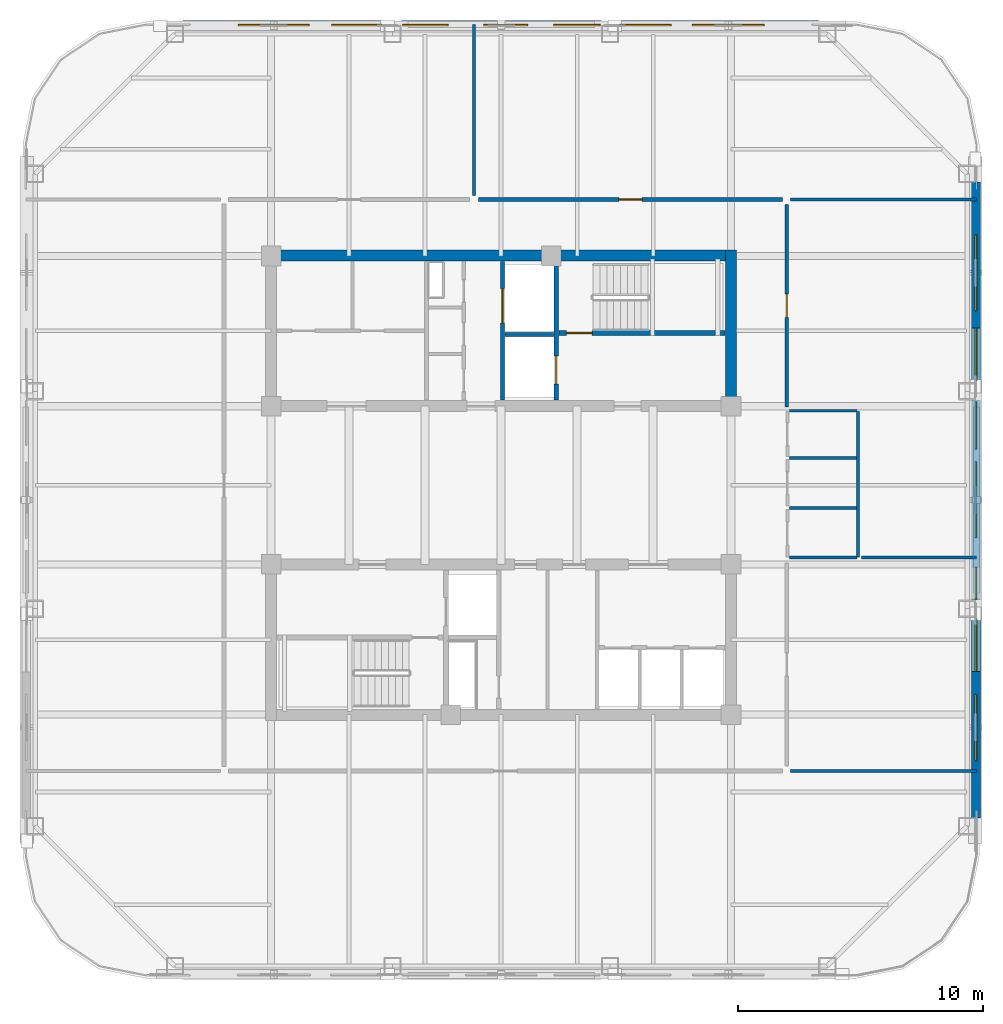
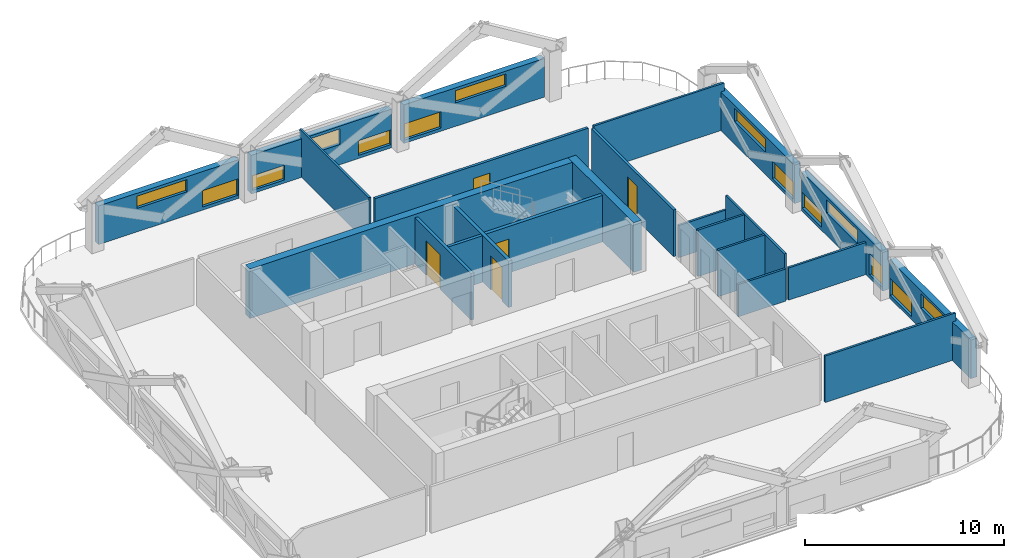
# One storey, part 5 of 9: 23 walls, 14 windows, 5 doors, 19 openings.
"""IFC4 building model written with IfcOpenShell, lengths in metres."""

from ifc_helpers import new_model, si_unit, direction, frame, frame_2d, origin, place, context, subcontext, project, spatial, rectangle, extrude, material, layer, layer_set, type_object, element, fill, save


model = new_model("IFC4")

# Units and contexts
model_context = context("Model", 3, precision=1e-05, world=origin(), true_north=direction((0.0, 1.0)))
body_context = subcontext(model_context, "Body", "Model", "MODEL_VIEW")
ifc_project = project(units=[si_unit("LENGTHUNIT", "METRE"), si_unit("AREAUNIT", "SQUARE_METRE"), si_unit("VOLUMEUNIT", "CUBIC_METRE"), si_unit("PLANEANGLEUNIT", "RADIAN"), si_unit("MASSUNIT", "GRAM", prefix="KILO")], contexts=[model_context])

# Site, building, storey
site_placement = place(None, origin())
site = spatial("IfcSite", under=ifc_project, at=site_placement, CompositionType="ELEMENT")
building_placement = place(site_placement, origin())
building = spatial("IfcBuilding", under=site, at=building_placement, Name="Qhalaya Broadcast Tower", CompositionType="ELEMENT")
storey_placement = place(building_placement, frame((0.0, 0.0, 205.60009765625)))
storey = spatial("IfcBuildingStorey", under=building, at=storey_placement, Name="L60", CompositionType="ELEMENT", Elevation=205.60009765625)

# Wall, opening, door
ifc_material_1 = material(Name="Gypsum Acoustic Partition")
ifc_layer_1 = layer(ifc_material_1, 0.14990234375, Name="Gypsum Acoustic Partition")
ifc_layer_set_1 = layer_set([ifc_layer_1], Name="Gypsum Acoustic Partition")
wall_type_1 = type_object("IfcWallType", Name="Corridor & Tenancy Acoustic Partition 150", PredefinedType="PARTITIONING", material=ifc_layer_set_1)
wall_1_placement = place(storey_placement, frame((-0.919921875, 12.25, 0.0), z_axis=(0.0, 0.0, 1.0), x_axis=(1.0, 0.0, 0.0)))
wall_1 = element("IfcWall", 1, at=wall_1_placement, inside=storey, type_object=wall_type_1, Name="L60 Partition Wall W-COR-02", PredefinedType="PARTITIONING", context=body_context, shape_type="SweptSolid", body=[
    extrude(rectangle(XDim=12.389892578125, YDim=0.14990234375, at=frame_2d((6.19482421875, 0.0))), origin(), (0.0, 0.0, 1.0), 2.85986328125),
])
opening_1_placement = place(wall_1_placement, frame((5.719970703125, 0.0, 0.0)))
opening_1 = element("IfcOpeningElement", 2, at=opening_1_placement, cuts=wall_1, Name="Opening D10", PredefinedType="OPENING", context=body_context, shape_type="SweptSolid", body=[
    extrude(rectangle(XDim=0.949951171875, YDim=2.10009765625, at=frame_2d((0.47509765625, 1.050048828125))), frame((0.0, 0.0869140625, 0.0), z_axis=(0.0, -1.0, 0.0), x_axis=(1.0, 0.0, 0.0)), (0.0, 0.0, 1.0), 0.173828125),
])
ifc_material_2 = material(Name="Timber Veneer Acoustic Door", Category="wood")
door_type_1 = type_object("IfcDoorType", Name="Cellular Office & Edit Booth Door D10", OperationType="NOTDEFINED", PredefinedType="DOOR", material=ifc_material_2)
door_1_placement = place(opening_1_placement, origin())
door_1 = element("IfcDoor", 3, at=door_1_placement, inside=storey, type_object=door_type_1, Name="L60 Door D-RM02", OperationType="SINGLE_SWING_LEFT", OverallHeight=2.10009765625, OverallWidth=0.949951171875, PredefinedType="DOOR", context=body_context, shape_type="SweptSolid", body=[
    extrude(rectangle(XDim=0.949951171875, YDim=2.10009765625, at=frame_2d((0.47509765625, 1.050048828125))), frame((0.0, 0.02490234375, 0.0), z_axis=(0.0, -1.0, 0.0), x_axis=(1.0, 0.0, 0.0)), (0.0, 0.0, 1.0), 0.050048828125),
])
fill(opening_1, door_1)

wall_2_placement = place(storey_placement, frame((11.64990234375, 3.800048828125, 0.0), z_axis=(0.0, 0.0, 1.0), x_axis=(0.0, 1.0, 0.0)))
wall_2 = element("IfcWall", 4, at=wall_2_placement, inside=storey, type_object=wall_type_1, Name="L60 Partition Wall W-COR-06", PredefinedType="PARTITIONING", context=body_context, shape_type="SweptSolid", body=[
    extrude(rectangle(XDim=8.25, YDim=0.14990234375, at=frame_2d((4.125, 0.0))), origin(), (0.0, 0.0, 1.0), 2.85986328125),
])
opening_2_placement = place(wall_2_placement, frame((3.64990234375, 0.0, 0.0)))
opening_2 = element("IfcOpeningElement", 5, at=opening_2_placement, cuts=wall_2, Name="Opening D10", PredefinedType="OPENING", context=body_context, shape_type="SweptSolid", body=[
    extrude(rectangle(XDim=0.949951171875, YDim=2.10009765625, at=frame_2d((0.47509765625, 1.050048828125))), frame((0.0, 0.0869140625, 0.0), z_axis=(0.0, -1.0, 0.0), x_axis=(1.0, 0.0, 0.0)), (0.0, 0.0, 1.0), 0.173828125),
])
door_2_placement = place(opening_2_placement, origin())
door_2 = element("IfcDoor", 6, at=door_2_placement, inside=storey, type_object=door_type_1, Name="L60 Door D-RM06", OperationType="SINGLE_SWING_LEFT", OverallHeight=2.10009765625, OverallWidth=0.949951171875, PredefinedType="DOOR", context=body_context, shape_type="SweptSolid", body=[
    extrude(rectangle(XDim=0.949951171875, YDim=2.10009765625, at=frame_2d((0.47509765625, 1.050048828125))), frame((0.0, 0.02490234375, 0.0), z_axis=(0.0, -1.0, 0.0), x_axis=(1.0, 0.0, 0.0)), (0.0, 0.0, 1.0), 0.050048828125),
])
fill(opening_2, door_2)

# Wall, openings, windows
ifc_material_3 = material(Name="Precast Concrete C40/50", Category="concrete")
ifc_layer_2 = layer(ifc_material_3, 0.360107421875, Name="Precast Concrete C40/50")
ifc_layer_set_2 = layer_set([ifc_layer_2], Name="Precast Concrete C40/50")
wall_type_2 = type_object("IfcWallType", Name="Insulated Precast Terracotta Exterior Wall 360", PredefinedType="SOLIDWALL", material=ifc_layer_set_2)
wall_3_placement = place(storey_placement, frame((19.360107421875, 12.9619140625, 0.0), z_axis=(0.0, 0.0, 1.0), x_axis=(0.0, -1.0, 0.0)))
wall_3 = element("IfcWall", 7, at=wall_3_placement, inside=storey, type_object=wall_type_2, Name="L60 Exoskeleton Diagrid Infill Wall E1", PredefinedType="SOLIDWALL", context=body_context, shape_type="SweptSolid", body=[
    extrude(rectangle(XDim=8.1787109375, YDim=0.360107421875, at=frame_2d((4.08935546875, 0.0))), origin(), (0.0, 0.0, 1.0), 2.3740234375),
])
opening_3_placement = place(wall_3_placement, frame((2.14990234375, 0.0, 1.39990234375)))
opening_3 = element("IfcOpeningElement", 8, at=opening_3_placement, cuts=wall_3, Name="Opening W13", PredefinedType="OPENING", context=body_context, shape_type="SweptSolid", body=[
    extrude(rectangle(XDim=3.10009765625, YDim=0.800048828125, at=frame_2d((1.550048828125, 0.39990234375))), frame((0.0, 0.192138671875, 0.0), z_axis=(0.0, -1.0, 0.0), x_axis=(1.0, 0.0, 0.0)), (0.0, 0.0, 1.0), 0.384033203125),
])
opening_4_placement = place(wall_3_placement, frame((5.949951171875, 0.0, 0.199951171875)))
opening_4 = element("IfcOpeningElement", 9, at=opening_4_placement, cuts=wall_3, Name="Opening W13", PredefinedType="OPENING", context=body_context, shape_type="SweptSolid", body=[
    extrude(rectangle(XDim=2.14990234375, YDim=1.050048828125, at=frame_2d((1.074951171875, 0.52490234375))), frame((0.0, 0.192138671875, 0.0), z_axis=(0.0, -1.0, 0.0), x_axis=(1.0, 0.0, 0.0)), (0.0, 0.0, 1.0), 0.384033203125),
])
ifc_material_4 = material(Name="Solar-Control Low-E Triple Glazing", Category="glass")
window_type = type_object("IfcWindowType", Name="Upper-Block Diagrid Infill Window W13", PartitioningType="SINGLE_PANEL", PredefinedType="WINDOW", material=ifc_material_4)
window_1_placement = place(opening_3_placement, origin())
window_1 = element("IfcWindow", 10, at=window_1_placement, inside=storey, type_object=window_type, Name="L60 Diagrid Infill Window W13-E1", OverallHeight=0.800048828125, OverallWidth=3.10009765625, PartitioningType="SINGLE_PANEL", PredefinedType="WINDOW", context=body_context, shape_type="SweptSolid", body=[
    extrude(rectangle(XDim=3.10009765625, YDim=0.800048828125, at=frame_2d((1.550048828125, 0.39990234375))), frame((0.0, 0.030029296875, 0.0), z_axis=(0.0, -1.0, 0.0), x_axis=(1.0, 0.0, 0.0)), (0.0, 0.0, 1.0), 0.06005859375),
])
fill(opening_3, window_1)
window_2_placement = place(opening_4_placement, origin())
window_2 = element("IfcWindow", 11, at=window_2_placement, inside=storey, type_object=window_type, Name="L60 Diagrid Infill Window W13-E2", OverallHeight=1.050048828125, OverallWidth=2.14990234375, PartitioningType="SINGLE_PANEL", PredefinedType="WINDOW", context=body_context, shape_type="SweptSolid", body=[
    extrude(rectangle(XDim=2.14990234375, YDim=1.050048828125, at=frame_2d((1.074951171875, 0.52490234375))), frame((0.0, 0.030029296875, 0.0), z_axis=(0.0, -1.0, 0.0), x_axis=(1.0, 0.0, 0.0)), (0.0, 0.0, 1.0), 0.06005859375),
])
fill(opening_4, window_2)

wall_4_placement = place(storey_placement, frame((19.360107421875, 4.083251953125, 0.0), z_axis=(0.0, 0.0, 1.0), x_axis=(0.0, -1.0, 0.0)))
wall_4 = element("IfcWall", 12, at=wall_4_placement, inside=storey, type_object=wall_type_2, Name="L60 Exoskeleton Diagrid Infill Wall E2", PredefinedType="SOLIDWALL", context=body_context, shape_type="SweptSolid", body=[
    extrude(rectangle(XDim=8.16650390625, YDim=0.360107421875, at=frame_2d((4.083251953125, 0.0))), origin(), (0.0, 0.0, 1.0), 2.3740234375),
])
opening_5_placement = place(wall_4_placement, frame((0.071044921875, 0.0, 0.199951171875)))
opening_5 = element("IfcOpeningElement", 13, at=opening_5_placement, cuts=wall_4, Name="Opening W13", PredefinedType="OPENING", context=body_context, shape_type="SweptSolid", body=[
    extrude(rectangle(XDim=1.949951171875, YDim=0.949951171875, at=frame_2d((0.97509765625, 0.47509765625))), frame((0.0, 0.192138671875, 0.0), z_axis=(0.0, -1.0, 0.0), x_axis=(1.0, 0.0, 0.0)), (0.0, 0.0, 1.0), 0.384033203125),
])
opening_6_placement = place(wall_4_placement, frame((2.52099609375, 0.0, 1.39990234375)))
opening_6 = element("IfcOpeningElement", 14, at=opening_6_placement, cuts=wall_4, Name="Opening W13", PredefinedType="OPENING", context=body_context, shape_type="SweptSolid", body=[
    extrude(rectangle(XDim=3.10009765625, YDim=0.800048828125, at=frame_2d((1.550048828125, 0.39990234375))), frame((0.0, 0.192138671875, 0.0), z_axis=(0.0, -1.0, 0.0), x_axis=(1.0, 0.0, 0.0)), (0.0, 0.0, 1.0), 0.384033203125),
])
opening_7_placement = place(wall_4_placement, frame((6.821044921875, 0.0, 0.199951171875)))
opening_7 = element("IfcOpeningElement", 15, at=opening_7_placement, cuts=wall_4, Name="Opening W13", PredefinedType="OPENING", context=body_context, shape_type="SweptSolid", body=[
    extrude(rectangle(XDim=1.300048828125, YDim=1.300048828125, at=frame_2d((0.64990234375, 0.64990234375))), frame((0.0, 0.192138671875, 0.0), z_axis=(0.0, -1.0, 0.0), x_axis=(1.0, 0.0, 0.0)), (0.0, 0.0, 1.0), 0.384033203125),
])
window_3_placement = place(opening_5_placement, origin())
window_3 = element("IfcWindow", 16, at=window_3_placement, inside=storey, type_object=window_type, Name="L60 Diagrid Infill Window W13-E3", OverallHeight=0.949951171875, OverallWidth=1.949951171875, PartitioningType="SINGLE_PANEL", PredefinedType="WINDOW", context=body_context, shape_type="SweptSolid", body=[
    extrude(rectangle(XDim=1.949951171875, YDim=0.949951171875, at=frame_2d((0.97509765625, 0.47509765625))), frame((0.0, 0.030029296875, 0.0), z_axis=(0.0, -1.0, 0.0), x_axis=(1.0, 0.0, 0.0)), (0.0, 0.0, 1.0), 0.06005859375),
])
fill(opening_5, window_3)
window_4_placement = place(opening_6_placement, origin())
window_4 = element("IfcWindow", 17, at=window_4_placement, inside=storey, type_object=window_type, Name="L60 Diagrid Infill Window W13-E4", OverallHeight=0.800048828125, OverallWidth=3.10009765625, PartitioningType="SINGLE_PANEL", PredefinedType="WINDOW", context=body_context, shape_type="SweptSolid", body=[
    extrude(rectangle(XDim=3.10009765625, YDim=0.800048828125, at=frame_2d((1.550048828125, 0.39990234375))), frame((0.0, 0.030029296875, 0.0), z_axis=(0.0, -1.0, 0.0), x_axis=(1.0, 0.0, 0.0)), (0.0, 0.0, 1.0), 0.06005859375),
])
fill(opening_6, window_4)
window_5_placement = place(opening_7_placement, origin())
window_5 = element("IfcWindow", 18, at=window_5_placement, inside=storey, type_object=window_type, Name="L60 Diagrid Infill Window W13-E5", OverallHeight=1.300048828125, OverallWidth=1.300048828125, PartitioningType="SINGLE_PANEL", PredefinedType="WINDOW", context=body_context, shape_type="SweptSolid", body=[
    extrude(rectangle(XDim=1.300048828125, YDim=1.300048828125, at=frame_2d((0.64990234375, 0.64990234375))), frame((0.0, 0.030029296875, 0.0), z_axis=(0.0, -1.0, 0.0), x_axis=(1.0, 0.0, 0.0)), (0.0, 0.0, 1.0), 0.06005859375),
])
fill(opening_7, window_5)

wall_5_placement = place(storey_placement, frame((19.360107421875, -4.783203125, 0.0), z_axis=(0.0, 0.0, 1.0), x_axis=(0.0, -1.0, 0.0)))
wall_5 = element("IfcWall", 19, at=wall_5_placement, inside=storey, type_object=wall_type_2, Name="L60 Exoskeleton Diagrid Infill Wall E3", PredefinedType="SOLIDWALL", context=body_context, shape_type="SweptSolid", body=[
    extrude(rectangle(XDim=8.1787109375, YDim=0.360107421875, at=frame_2d((4.08935546875, 0.0))), origin(), (0.0, 0.0, 1.0), 2.3740234375),
])
opening_8_placement = place(wall_5_placement, frame((0.054931640625, 0.0, 0.199951171875)))
opening_8 = element("IfcOpeningElement", 20, at=opening_8_placement, cuts=wall_5, Name="Opening W13", PredefinedType="OPENING", context=body_context, shape_type="SweptSolid", body=[
    extrude(rectangle(XDim=2.14990234375, YDim=1.050048828125, at=frame_2d((1.074951171875, 0.52490234375))), frame((0.0, 0.192138671875, 0.0), z_axis=(0.0, -1.0, 0.0), x_axis=(1.0, 0.0, 0.0)), (0.0, 0.0, 1.0), 0.384033203125),
])
opening_9_placement = place(wall_5_placement, frame((3.155029296875, 0.0, 1.300048828125)))
opening_9 = element("IfcOpeningElement", 21, at=opening_9_placement, cuts=wall_5, Name="Opening W13", PredefinedType="OPENING", context=body_context, shape_type="SweptSolid", body=[
    extrude(rectangle(XDim=2.699951171875, YDim=0.89990234375, at=frame_2d((1.35009765625, 0.449951171875))), frame((0.0, 0.192138671875, 0.0), z_axis=(0.0, -1.0, 0.0), x_axis=(1.0, 0.0, 0.0)), (0.0, 0.0, 1.0), 0.384033203125),
])
window_6_placement = place(opening_8_placement, origin())
window_6 = element("IfcWindow", 22, at=window_6_placement, inside=storey, type_object=window_type, Name="L60 Diagrid Infill Window W13-E6", OverallHeight=1.050048828125, OverallWidth=2.14990234375, PartitioningType="SINGLE_PANEL", PredefinedType="WINDOW", context=body_context, shape_type="SweptSolid", body=[
    extrude(rectangle(XDim=2.14990234375, YDim=1.050048828125, at=frame_2d((1.074951171875, 0.52490234375))), frame((0.0, 0.030029296875, 0.0), z_axis=(0.0, -1.0, 0.0), x_axis=(1.0, 0.0, 0.0)), (0.0, 0.0, 1.0), 0.06005859375),
])
fill(opening_8, window_6)
window_7_placement = place(opening_9_placement, origin())
window_7 = element("IfcWindow", 23, at=window_7_placement, inside=storey, type_object=window_type, Name="L60 Diagrid Infill Window W13-E7", OverallHeight=0.89990234375, OverallWidth=2.699951171875, PartitioningType="SINGLE_PANEL", PredefinedType="WINDOW", context=body_context, shape_type="SweptSolid", body=[
    extrude(rectangle(XDim=2.699951171875, YDim=0.89990234375, at=frame_2d((1.35009765625, 0.449951171875))), frame((0.0, 0.030029296875, 0.0), z_axis=(0.0, -1.0, 0.0), x_axis=(1.0, 0.0, 0.0)), (0.0, 0.0, 1.0), 0.06005859375),
])
fill(opening_9, window_7)

wall_6_placement = place(storey_placement, frame((-12.9619140625, 19.360107421875, 0.0), z_axis=(0.0, 0.0, 1.0), x_axis=(1.0, 0.0, 0.0)))
wall_6 = element("IfcWall", 24, at=wall_6_placement, inside=storey, type_object=wall_type_2, Name="L60 Exoskeleton Diagrid Infill Wall N1", PredefinedType="SOLIDWALL", context=body_context, shape_type="SweptSolid", body=[
    extrude(rectangle(XDim=8.1787109375, YDim=0.360107421875, at=frame_2d((4.08935546875, 0.0))), origin(), (0.0, 0.0, 1.0), 2.3740234375),
])
opening_10_placement = place(wall_6_placement, frame((2.25, 0.0, 1.449951171875)))
opening_10 = element("IfcOpeningElement", 25, at=opening_10_placement, cuts=wall_6, Name="Opening W13", PredefinedType="OPENING", context=body_context, shape_type="SweptSolid", body=[
    extrude(rectangle(XDim=2.89990234375, YDim=0.75, at=frame_2d((1.449951171875, 0.375))), frame((0.0, 0.192138671875, 0.0), z_axis=(0.0, -1.0, 0.0), x_axis=(1.0, 0.0, 0.0)), (0.0, 0.0, 1.0), 0.384033203125),
])
opening_11_placement = place(wall_6_placement, frame((6.050048828125, 0.0, 0.199951171875)))
opening_11 = element("IfcOpeningElement", 26, at=opening_11_placement, cuts=wall_6, Name="Opening W13", PredefinedType="OPENING", context=body_context, shape_type="SweptSolid", body=[
    extrude(rectangle(XDim=2.050048828125, YDim=1.0, at=frame_2d((1.02490234375, 0.5))), frame((0.0, 0.192138671875, 0.0), z_axis=(0.0, -1.0, 0.0), x_axis=(1.0, 0.0, 0.0)), (0.0, 0.0, 1.0), 0.384033203125),
])
window_8_placement = place(opening_10_placement, origin())
window_8 = element("IfcWindow", 27, at=window_8_placement, inside=storey, type_object=window_type, Name="L60 Diagrid Infill Window W13-N1", OverallHeight=0.75, OverallWidth=2.89990234375, PartitioningType="SINGLE_PANEL", PredefinedType="WINDOW", context=body_context, shape_type="SweptSolid", body=[
    extrude(rectangle(XDim=2.89990234375, YDim=0.75, at=frame_2d((1.449951171875, 0.375))), frame((0.0, 0.030029296875, 0.0), z_axis=(0.0, -1.0, 0.0), x_axis=(1.0, 0.0, 0.0)), (0.0, 0.0, 1.0), 0.06005859375),
])
fill(opening_10, window_8)
window_9_placement = place(opening_11_placement, origin())
window_9 = element("IfcWindow", 28, at=window_9_placement, inside=storey, type_object=window_type, Name="L60 Diagrid Infill Window W13-N2", OverallHeight=1.0, OverallWidth=2.050048828125, PartitioningType="SINGLE_PANEL", PredefinedType="WINDOW", context=body_context, shape_type="SweptSolid", body=[
    extrude(rectangle(XDim=2.050048828125, YDim=1.0, at=frame_2d((1.02490234375, 0.5))), frame((0.0, 0.030029296875, 0.0), z_axis=(0.0, -1.0, 0.0), x_axis=(1.0, 0.0, 0.0)), (0.0, 0.0, 1.0), 0.06005859375),
])
fill(opening_11, window_9)

wall_7_placement = place(storey_placement, frame((-4.083251953125, 19.360107421875, 0.0), z_axis=(0.0, 0.0, 1.0), x_axis=(1.0, 0.0, 0.0)))
wall_7 = element("IfcWall", 29, at=wall_7_placement, inside=storey, type_object=wall_type_2, Name="L60 Exoskeleton Diagrid Infill Wall N2", PredefinedType="SOLIDWALL", context=body_context, shape_type="SweptSolid", body=[
    extrude(rectangle(XDim=8.16650390625, YDim=0.360107421875, at=frame_2d((4.083251953125, 0.0))), origin(), (0.0, 0.0, 1.0), 2.3740234375),
])
opening_12_placement = place(wall_7_placement, frame((0.071044921875, 0.0, 0.199951171875)))
opening_12 = element("IfcOpeningElement", 30, at=opening_12_placement, cuts=wall_7, Name="Opening W13", PredefinedType="OPENING", context=body_context, shape_type="SweptSolid", body=[
    extrude(rectangle(XDim=1.85009765625, YDim=0.89990234375, at=frame_2d((0.925048828125, 0.449951171875))), frame((0.0, 0.192138671875, 0.0), z_axis=(0.0, -1.0, 0.0), x_axis=(1.0, 0.0, 0.0)), (0.0, 0.0, 1.0), 0.384033203125),
])
opening_13_placement = place(wall_7_placement, frame((3.37109375, 0.0, 1.25)))
opening_13 = element("IfcOpeningElement", 31, at=opening_13_placement, cuts=wall_7, Name="Opening W13", PredefinedType="OPENING", context=body_context, shape_type="SweptSolid", body=[
    extrude(rectangle(XDim=1.800048828125, YDim=0.949951171875, at=frame_2d((0.89990234375, 0.47509765625))), frame((0.0, 0.192138671875, 0.0), z_axis=(0.0, -1.0, 0.0), x_axis=(1.0, 0.0, 0.0)), (0.0, 0.0, 1.0), 0.384033203125),
])
opening_14_placement = place(wall_7_placement, frame((6.220947265625, 0.0, 0.199951171875)))
opening_14 = element("IfcOpeningElement", 32, at=opening_14_placement, cuts=wall_7, Name="Opening W13", PredefinedType="OPENING", context=body_context, shape_type="SweptSolid", body=[
    extrude(rectangle(XDim=1.89990234375, YDim=0.89990234375, at=frame_2d((0.949951171875, 0.449951171875))), frame((0.0, 0.192138671875, 0.0), z_axis=(0.0, -1.0, 0.0), x_axis=(1.0, 0.0, 0.0)), (0.0, 0.0, 1.0), 0.384033203125),
])
window_10_placement = place(opening_12_placement, origin())
window_10 = element("IfcWindow", 33, at=window_10_placement, inside=storey, type_object=window_type, Name="L60 Diagrid Infill Window W13-N3", OverallHeight=0.89990234375, OverallWidth=1.85009765625, PartitioningType="SINGLE_PANEL", PredefinedType="WINDOW", context=body_context, shape_type="SweptSolid", body=[
    extrude(rectangle(XDim=1.85009765625, YDim=0.89990234375, at=frame_2d((0.925048828125, 0.449951171875))), frame((0.0, 0.030029296875, 0.0), z_axis=(0.0, -1.0, 0.0), x_axis=(1.0, 0.0, 0.0)), (0.0, 0.0, 1.0), 0.06005859375),
])
fill(opening_12, window_10)
window_11_placement = place(opening_13_placement, origin())
window_11 = element("IfcWindow", 34, at=window_11_placement, inside=storey, type_object=window_type, Name="L60 Diagrid Infill Window W13-N4", OverallHeight=0.949951171875, OverallWidth=1.800048828125, PartitioningType="SINGLE_PANEL", PredefinedType="WINDOW", context=body_context, shape_type="SweptSolid", body=[
    extrude(rectangle(XDim=1.800048828125, YDim=0.949951171875, at=frame_2d((0.89990234375, 0.47509765625))), frame((0.0, 0.030029296875, 0.0), z_axis=(0.0, -1.0, 0.0), x_axis=(1.0, 0.0, 0.0)), (0.0, 0.0, 1.0), 0.06005859375),
])
fill(opening_13, window_11)
window_12_placement = place(opening_14_placement, origin())
window_12 = element("IfcWindow", 35, at=window_12_placement, inside=storey, type_object=window_type, Name="L60 Diagrid Infill Window W13-N5", OverallHeight=0.89990234375, OverallWidth=1.89990234375, PartitioningType="SINGLE_PANEL", PredefinedType="WINDOW", context=body_context, shape_type="SweptSolid", body=[
    extrude(rectangle(XDim=1.89990234375, YDim=0.89990234375, at=frame_2d((0.949951171875, 0.449951171875))), frame((0.0, 0.030029296875, 0.0), z_axis=(0.0, -1.0, 0.0), x_axis=(1.0, 0.0, 0.0)), (0.0, 0.0, 1.0), 0.06005859375),
])
fill(opening_14, window_12)

wall_8_placement = place(storey_placement, frame((4.783203125, 19.360107421875, 0.0), z_axis=(0.0, 0.0, 1.0), x_axis=(1.0, 0.0, 0.0)))
wall_8 = element("IfcWall", 36, at=wall_8_placement, inside=storey, type_object=wall_type_2, Name="L60 Exoskeleton Diagrid Infill Wall N3", PredefinedType="SOLIDWALL", context=body_context, shape_type="SweptSolid", body=[
    extrude(rectangle(XDim=8.1787109375, YDim=0.360107421875, at=frame_2d((4.08935546875, 0.0))), origin(), (0.0, 0.0, 1.0), 2.3740234375),
])
opening_15_placement = place(wall_8_placement, frame((0.054931640625, 0.0, 0.199951171875)))
opening_15 = element("IfcOpeningElement", 37, at=opening_15_placement, cuts=wall_8, Name="Opening W13", PredefinedType="OPENING", context=body_context, shape_type="SweptSolid", body=[
    extrude(rectangle(XDim=2.10009765625, YDim=1.0, at=frame_2d((1.050048828125, 0.5))), frame((0.0, 0.192138671875, 0.0), z_axis=(0.0, -1.0, 0.0), x_axis=(1.0, 0.0, 0.0)), (0.0, 0.0, 1.0), 0.384033203125),
])
opening_16_placement = place(wall_8_placement, frame((3.0048828125, 0.0, 1.449951171875)))
opening_16 = element("IfcOpeningElement", 38, at=opening_16_placement, cuts=wall_8, Name="Opening W13", PredefinedType="OPENING", context=body_context, shape_type="SweptSolid", body=[
    extrude(rectangle(XDim=2.949951171875, YDim=0.75, at=frame_2d((1.47509765625, 0.375))), frame((0.0, 0.192138671875, 0.0), z_axis=(0.0, -1.0, 0.0), x_axis=(1.0, 0.0, 0.0)), (0.0, 0.0, 1.0), 0.384033203125),
])
window_13_placement = place(opening_15_placement, origin())
window_13 = element("IfcWindow", 39, at=window_13_placement, inside=storey, type_object=window_type, Name="L60 Diagrid Infill Window W13-N6", OverallHeight=1.0, OverallWidth=2.10009765625, PartitioningType="SINGLE_PANEL", PredefinedType="WINDOW", context=body_context, shape_type="SweptSolid", body=[
    extrude(rectangle(XDim=2.10009765625, YDim=1.0, at=frame_2d((1.050048828125, 0.5))), frame((0.0, 0.030029296875, 0.0), z_axis=(0.0, -1.0, 0.0), x_axis=(1.0, 0.0, 0.0)), (0.0, 0.0, 1.0), 0.06005859375),
])
fill(opening_15, window_13)
window_14_placement = place(opening_16_placement, origin())
window_14 = element("IfcWindow", 40, at=window_14_placement, inside=storey, type_object=window_type, Name="L60 Diagrid Infill Window W13-N7", OverallHeight=0.75, OverallWidth=2.949951171875, PartitioningType="SINGLE_PANEL", PredefinedType="WINDOW", context=body_context, shape_type="SweptSolid", body=[
    extrude(rectangle(XDim=2.949951171875, YDim=0.75, at=frame_2d((1.47509765625, 0.375))), frame((0.0, 0.030029296875, 0.0), z_axis=(0.0, -1.0, 0.0), x_axis=(1.0, 0.0, 0.0)), (0.0, 0.0, 1.0), 0.06005859375),
])
fill(opening_16, window_14)

# Wall, opening, door
ifc_material_5 = material(Name="Concrete C50/60", Category="concrete")
ifc_layer_3 = layer(ifc_material_5, 0.199951171875, Name="Concrete C50/60")
ifc_layer_set_3 = layer_set([ifc_layer_3], Name="Concrete C50/60")
wall_type_3 = type_object("IfcWallType", Name="Load-Bearing Stair Shaft Wall 200", PredefinedType="SHEAR", material=ifc_layer_set_3)
wall_9_placement = place(storey_placement, frame((2.360107421875, 6.804931640625, 0.0), z_axis=(0.0, 0.0, 1.0), x_axis=(1.0, 0.0, 0.0)))
wall_9 = element("IfcWall", 41, at=wall_9_placement, inside=storey, type_object=wall_type_3, Name="L60 Stair Core Shear Wall NCW-ST1", PredefinedType="SHEAR", context=body_context, shape_type="SweptSolid", body=[
    extrude(rectangle(XDim=6.769775390625, YDim=0.199951171875, at=frame_2d((3.384765625, 0.0))), origin(), (0.0, 0.0, 1.0), 2.85986328125),
])
opening_17_placement = place(wall_9_placement, frame((0.300048828125, 0.0, 0.0)))
opening_17 = element("IfcOpeningElement", 42, at=opening_17_placement, cuts=wall_9, Name="Opening D03", PredefinedType="OPENING", context=body_context, shape_type="SweptSolid", body=[
    extrude(rectangle(XDim=1.050048828125, YDim=2.080078125, at=frame_2d((0.52490234375, 1.0400390625))), frame((0.0, 0.112060546875, 0.0), z_axis=(0.0, -1.0, 0.0), x_axis=(1.0, 0.0, 0.0)), (0.0, 0.0, 1.0), 0.223876953125),
])
ifc_material_6 = material(Name="Fire-Rated Steel Door", Category="steel")
door_type_2 = type_object("IfcDoorType", Name="Core Stair Protected Fire Door D03", OperationType="NOTDEFINED", PredefinedType="DOOR", material=ifc_material_6)
door_3_placement = place(opening_17_placement, origin())
door_3 = element("IfcDoor", 43, at=door_3_placement, inside=storey, type_object=door_type_2, Name="L60 Door D-NST1", OperationType="SINGLE_SWING_LEFT", OverallHeight=2.080078125, OverallWidth=1.050048828125, PredefinedType="DOOR", context=body_context, shape_type="SweptSolid", body=[
    extrude(rectangle(XDim=1.050048828125, YDim=2.080078125, at=frame_2d((0.52490234375, 1.0400390625))), frame((0.0, 0.02490234375, 0.0), z_axis=(0.0, -1.0, 0.0), x_axis=(1.0, 0.0, 0.0)), (0.0, 0.0, 1.0), 0.050048828125),
])
fill(opening_17, door_3)

wall_10_placement = place(storey_placement, frame((2.25, 4.070068359375, 0.0), z_axis=(0.0, 0.0, 1.0), x_axis=(0.0, 1.0, 0.0)))
wall_10 = element("IfcWall", 44, at=wall_10_placement, inside=storey, type_object=wall_type_3, Name="L60 Stair Core Shear Wall NCW-FF", PredefinedType="SHEAR", context=body_context, shape_type="SweptSolid", body=[
    extrude(rectangle(XDim=5.659912109375, YDim=0.199951171875, at=frame_2d((2.830078125, 0.0))), origin(), (0.0, 0.0, 1.0), 2.85986328125),
])
opening_18_placement = place(wall_10_placement, frame((0.64990234375, 0.0, 0.0)))
opening_18 = element("IfcOpeningElement", 45, at=opening_18_placement, cuts=wall_10, Name="Opening LD2", PredefinedType="OPENING", context=body_context, shape_type="SweptSolid", body=[
    extrude(rectangle(XDim=1.14990234375, YDim=2.080078125, at=frame_2d((0.574951171875, 1.0400390625))), frame((0.0, 0.112060546875, 0.0), z_axis=(0.0, -1.0, 0.0), x_axis=(1.0, 0.0, 0.0)), (0.0, 0.0, 1.0), 0.223876953125),
])
ifc_material_7 = material(Name="Brushed Stainless Steel Lift Door", Category="steel")
door_type_3 = type_object("IfcDoorType", Name="Firefighting Lift Sliding Landing Door LD2", OperationType="DOUBLE_DOOR_SLIDING", PredefinedType="DOOR", material=ifc_material_7)
door_4_placement = place(opening_18_placement, origin())
door_4 = element("IfcDoor", 46, at=door_4_placement, inside=storey, type_object=door_type_3, Name="L60 Door LD-FF1", OperationType="DOUBLE_DOOR_SLIDING", OverallHeight=2.080078125, OverallWidth=1.14990234375, PredefinedType="DOOR", context=body_context, shape_type="SweptSolid", body=[
    extrude(rectangle(XDim=1.14990234375, YDim=2.080078125, at=frame_2d((0.574951171875, 1.0400390625))), frame((0.0, 0.02490234375, 0.0), z_axis=(0.0, -1.0, 0.0), x_axis=(1.0, 0.0, 0.0)), (0.0, 0.0, 1.0), 0.050048828125),
])
fill(opening_18, door_4)

# Walls
ifc_layer_4 = layer(ifc_material_1, 0.1201171875, Name="Gypsum Acoustic Partition")
ifc_layer_set_4 = layer_set([ifc_layer_4], Name="Gypsum Acoustic Partition")
wall_type_4 = type_object("IfcWallType", Name="Office, Booth & Sanitary Partition 120", PredefinedType="PARTITIONING", material=ifc_layer_set_4)
wall_11_placement = place(storey_placement, frame((14.550048828125, -2.320068359375, 0.0), z_axis=(0.0, 0.0, 1.0), x_axis=(0.0, 1.0, 0.0)))
element("IfcWall", 47, at=wall_11_placement, inside=storey, type_object=wall_type_4, Name="L60 Partition Wall W-WCE", PredefinedType="PARTITIONING", context=body_context, shape_type="SweptSolid", body=[
    extrude(rectangle(XDim=5.93017578125, YDim=0.1201171875, at=frame_2d((2.965087890625, 0.0))), origin(), (0.0, 0.0, 1.0), 2.85986328125),
])
for number, where, z_axis, x_axis, name in (
    (48, (11.760009765625, -2.35009765625, 0.0), (0.0, 0.0, 1.0), (1.0, 0.0, 0.0), "L60 Partition Wall W-WCS"),
    (49, (11.760009765625, 3.639892578125, 0.0), (0.0, 0.0, 1.0), (1.0, 0.0, 0.0), "L60 Partition Wall W-WCN"),
):
    element("IfcWall", number, at=place(storey_placement, frame(where, z_axis=z_axis, x_axis=x_axis)), inside=storey, type_object=wall_type_4, Name=name, PredefinedType="PARTITIONING", context=body_context, shape_type="SweptSolid", body=[
        extrude(rectangle(XDim=2.760009765625, YDim=0.1201171875, at=frame_2d((1.3798828125, 0.0))), origin(), (0.0, 0.0, 1.0), 1.98095703125),
    ])
for number, where, z_axis, x_axis, name in (
    (50, (11.760009765625, -0.320068359375, 0.0), (0.0, 0.0, 1.0), (1.0, 0.0, 0.0), "L60 Partition Wall W-WCD1"),
    (51, (11.760009765625, 1.719970703125, 0.0), (0.0, 0.0, 1.0), (1.0, 0.0, 0.0), "L60 Partition Wall W-WCD2"),
):
    element("IfcWall", number, at=place(storey_placement, frame(where, z_axis=z_axis, x_axis=x_axis)), inside=storey, type_object=wall_type_4, Name=name, PredefinedType="PARTITIONING", context=body_context, shape_type="SweptSolid", body=[
        extrude(rectangle(XDim=2.719970703125, YDim=0.1201171875, at=frame_2d((1.35986328125, 0.0))), origin(), (0.0, 0.0, 1.0), 2.85986328125),
    ])
for number, where, z_axis, x_axis, name in (
    (52, (11.7900390625, 12.25, 0.0), (0.0, 0.0, 1.0), (1.0, 0.0, 0.0), "L60 Partition Wall W-BNDE1"),
    (53, (11.7900390625, -11.050048828125, 0.0), (0.0, 0.0, 1.0), (1.0, 0.0, 0.0), "L60 Partition Wall W-BNDE2"),
):
    element("IfcWall", number, at=place(storey_placement, frame(where, z_axis=z_axis, x_axis=x_axis)), inside=storey, type_object=wall_type_4, Name=name, PredefinedType="PARTITIONING", context=body_context, shape_type="SweptSolid", body=[
        extrude(rectangle(XDim=7.58984375, YDim=0.1201171875, at=frame_2d((3.794921875, 0.0))), origin(), (0.0, 0.0, 1.0), 2.85986328125),
    ])
wall_12_placement = place(storey_placement, frame((-1.10009765625, 12.409912109375, 0.0), z_axis=(0.0, 0.0, 1.0), x_axis=(0.0, 1.0, 0.0)))
element("IfcWall", 54, at=wall_12_placement, inside=storey, type_object=wall_type_4, Name="L60 Partition Wall W-DIVN1", PredefinedType="PARTITIONING", context=body_context, shape_type="SweptSolid", body=[
    extrude(rectangle(XDim=6.969970703125, YDim=0.1201171875, at=frame_2d((3.48486328125, 0.0))), origin(), (0.0, 0.0, 1.0), 2.85986328125),
])
wall_13_placement = place(storey_placement, frame((14.68994140625, -2.35009765625, 0.0), z_axis=(0.0, 0.0, 1.0), x_axis=(1.0, 0.0, 0.0)))
element("IfcWall", 55, at=wall_13_placement, inside=storey, type_object=wall_type_4, Name="L60 Partition Wall W-DIVE-WC", PredefinedType="PARTITIONING", context=body_context, shape_type="SweptSolid", body=[
    extrude(rectangle(XDim=4.68994140625, YDim=0.1201171875, at=frame_2d((2.344970703125, 0.0))), origin(), (0.0, 0.0, 1.0), 1.98095703125),
])

# Wall, opening, door
ifc_layer_5 = layer(ifc_material_1, 0.175048828125, Name="Gypsum Acoustic Partition")
ifc_layer_set_5 = layer_set([ifc_layer_5], Name="Gypsum Acoustic Partition")
wall_type_5 = type_object("IfcWallType", Name="Shaft & Riser Fire Partition 175", PredefinedType="PARTITIONING", material=ifc_layer_set_5)
wall_14_placement = place(storey_placement, frame((0.06005859375, 4.070068359375, 0.0), z_axis=(0.0, 0.0, 1.0), x_axis=(0.0, 1.0, 0.0)))
wall_14 = element("IfcWall", 56, at=wall_14_placement, inside=storey, type_object=wall_type_5, Name="L60 Partition Wall NCW-SVW", PredefinedType="PARTITIONING", context=body_context, shape_type="SweptSolid", body=[
    extrude(rectangle(XDim=5.659912109375, YDim=0.175048828125, at=frame_2d((2.830078125, 0.0))), origin(), (0.0, 0.0, 1.0), 2.85986328125),
])
opening_19_placement = place(wall_14_placement, frame((3.14990234375, 0.0, 0.0)))
opening_19 = element("IfcOpeningElement", 57, at=opening_19_placement, cuts=wall_14, Name="Opening LD3", PredefinedType="OPENING", context=body_context, shape_type="SweptSolid", body=[
    extrude(rectangle(XDim=1.39990234375, YDim=2.1201171875, at=frame_2d((0.699951171875, 1.06005859375))), frame((0.0, 0.099609375, 0.0), z_axis=(0.0, -1.0, 0.0), x_axis=(1.0, 0.0, 0.0)), (0.0, 0.0, 1.0), 0.198974609375),
])
door_type_4 = type_object("IfcDoorType", Name="Service Lift Wide Sliding Landing Door LD3", OperationType="DOUBLE_DOOR_SLIDING", PredefinedType="DOOR", material=ifc_material_7)
door_5_placement = place(opening_19_placement, origin())
door_5 = element("IfcDoor", 58, at=door_5_placement, inside=storey, type_object=door_type_4, Name="L60 Door LD-SV1", OperationType="DOUBLE_DOOR_SLIDING", OverallHeight=2.1201171875, OverallWidth=1.39990234375, PredefinedType="DOOR", context=body_context, shape_type="SweptSolid", body=[
    extrude(rectangle(XDim=1.39990234375, YDim=2.1201171875, at=frame_2d((0.699951171875, 1.06005859375))), frame((0.0, 0.02490234375, 0.0), z_axis=(0.0, -1.0, 0.0), x_axis=(1.0, 0.0, 0.0)), (0.0, 0.0, 1.0), 0.050048828125),
])
fill(opening_19, door_5)

# Walls
wall_15_placement = place(storey_placement, frame((0.159912109375, 6.75, 0.0), z_axis=(0.0, 0.0, 1.0), x_axis=(1.0, 0.0, 0.0)))
element("IfcWall", 59, at=wall_15_placement, inside=storey, type_object=wall_type_5, Name="L60 Partition Wall NCW-SVM", PredefinedType="PARTITIONING", context=body_context, shape_type="SweptSolid", body=[
    extrude(rectangle(XDim=1.97998046875, YDim=0.175048828125, at=frame_2d((0.989990234375, 0.0))), origin(), (0.0, 0.0, 1.0), 2.85986328125),
])
ifc_layer_6 = layer(ifc_material_5, 0.449951171875, Name="Concrete C50/60")
ifc_layer_set_6 = layer_set([ifc_layer_6], Name="Concrete C50/60")
wall_type_6 = type_object("IfcWallType", Name="Upper Split-Core Shear Wall 450", PredefinedType="SHEAR", material=ifc_layer_set_6)
wall_16_placement = place(storey_placement, frame((-9.60009765625, 9.97509765625, 0.0), z_axis=(0.0, 0.0, 1.0), x_axis=(1.0, 0.0, 0.0)))
element("IfcWall", 60, at=wall_16_placement, inside=storey, type_object=wall_type_6, Name="L60 Split-Core Shear Wall CW-NN", PredefinedType="SHEAR", context=body_context, shape_type="SweptSolid", body=[
    extrude(rectangle(XDim=19.2001953125, YDim=0.449951171875, at=frame_2d((9.60009765625, 0.0))), origin(), (0.0, 0.0, 1.0), 3.0498046875),
])
wall_17_placement = place(storey_placement, frame((9.375, 3.60009765625, 0.0), z_axis=(0.0, 0.0, 1.0), x_axis=(0.0, 1.0, 0.0)))
element("IfcWall", 61, at=wall_17_placement, inside=storey, type_object=wall_type_6, Name="L60 Split-Core Shear Wall CW-NE", PredefinedType="SHEAR", context=body_context, shape_type="SweptSolid", body=[
    extrude(rectangle(XDim=6.599853515625, YDim=0.449951171875, at=frame_2d((3.2998046875, 0.0))), origin(), (0.0, 0.0, 1.0), 3.0498046875),
])

save(model, "model.ifc")
